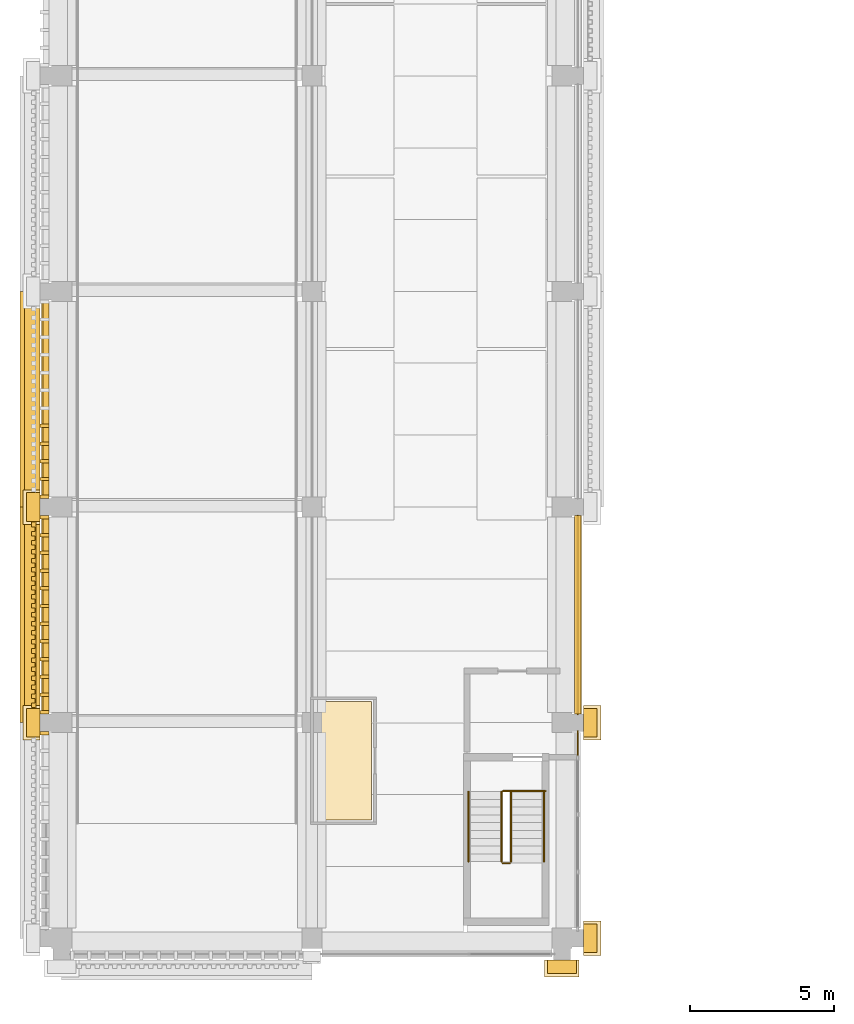
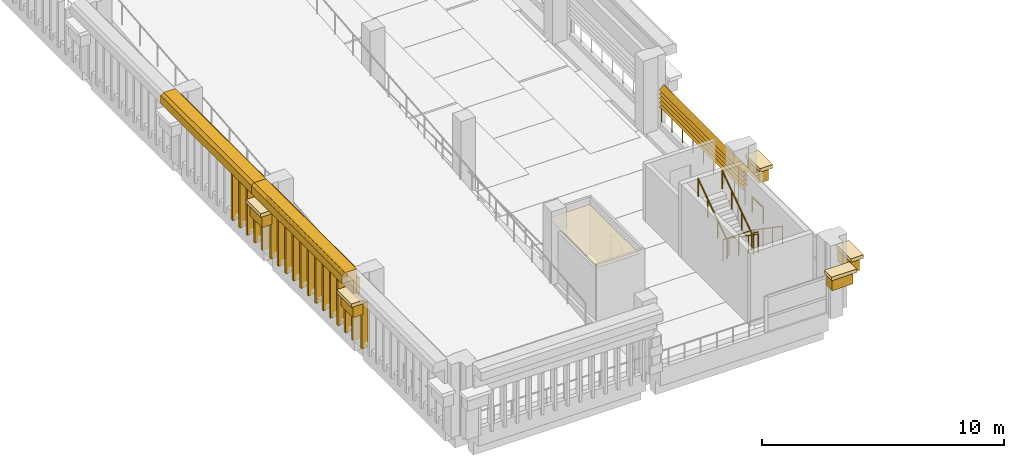
# One storey, part 13 of 25: 34 coverings, 8 railings, 5 shading devices.
"""IFC4 building model written with IfcOpenShell, lengths in metres."""

from ifc_helpers import new_model, si_unit, direction, frame, origin, origin_2d, place, context, subcontext, project, spatial, polyline, circle, outline, extrude, material, layer, layer_set, type_object, element, save


model = new_model("IFC4")

# Units and contexts
model_context = context("Model", 3, precision=1e-05, world=origin(), true_north=direction((0.0, 1.0)))
body_context = subcontext(model_context, "Body", "Model", "MODEL_VIEW")
ifc_project = project(units=[si_unit("LENGTHUNIT", "METRE"), si_unit("AREAUNIT", "SQUARE_METRE"), si_unit("VOLUMEUNIT", "CUBIC_METRE"), si_unit("PLANEANGLEUNIT", "RADIAN"), si_unit("MASSUNIT", "GRAM", prefix="KILO")], contexts=[model_context])

# Site, building, storey
site_placement = place(None, origin())
site = spatial("IfcSite", under=ifc_project, at=site_placement, CompositionType="ELEMENT")
building_placement = place(site_placement, origin())
building = spatial("IfcBuilding", under=site, at=building_placement, Name="Cour d'Honneur Mobility Palace", CompositionType="ELEMENT")
storey_placement = place(building_placement, frame((0.0, 0.0, 30.39990234375)))
storey = spatial("IfcBuildingStorey", under=building, at=storey_placement, Name="L08", CompositionType="ELEMENT", Elevation=30.39990234375)

# Railings
ifc_material_1 = material(Name="Painted steel", Category="steel")
railing_type_1 = type_object("IfcRailingType", Name="Balustrade", PredefinedType="BALUSTRADE", material=ifc_material_1)
railing_1_placement = place(storey_placement, frame((17.949951171875, 6.300048828125, 0.300048828125)))
element("IfcRailing", 1, at=railing_1_placement, inside=storey, type_object=railing_type_1, Name="Balustrade BAL-390", PredefinedType="BALUSTRADE", context=body_context, shape_type="SweptSolid", body=[
    extrude(circle(Radius=0.02392578125, at=origin_2d()), frame((0.0, 0.0, 0.77587890625), z_axis=(0.0, 1.0, 0.0), x_axis=(-1.0, 0.0, 0.0)), (0.0, 0.0, 1.0), 0.89990234375),
    extrude(circle(Radius=0.02099609375, at=origin_2d()), origin(), (0.0, 0.0, 1.0), 0.751953125),
    extrude(circle(Radius=0.02099609375, at=origin_2d()), frame((0.0, 0.89990234375, 0.0)), (0.0, 0.0, 1.0), 0.751953125),
])
railing_2_placement = place(storey_placement, frame((17.949951171875, 7.800048828125, 0.300048828125)))
element("IfcRailing", 2, at=railing_2_placement, inside=storey, type_object=railing_type_1, Name="Balustrade BAL-391", PredefinedType="BALUSTRADE", context=body_context, shape_type="SweptSolid", body=[
    extrude(circle(Radius=0.02392578125, at=origin_2d()), frame((0.0, 0.0, 0.77587890625), z_axis=(0.0, 1.0, 0.0), x_axis=(-1.0, 0.0, 0.0)), (0.0, 0.0, 1.0), 6.89990234375),
    extrude(circle(Radius=0.02099609375, at=origin_2d()), origin(), (0.0, 0.0, 1.0), 0.751953125),
    extrude(circle(Radius=0.02099609375, at=origin_2d()), frame((0.0, 0.862548828125, 0.0)), (0.0, 0.0, 1.0), 0.751953125),
    extrude(circle(Radius=0.02099609375, at=origin_2d()), frame((0.0, 1.72509765625, 0.0)), (0.0, 0.0, 1.0), 0.751953125),
    extrude(circle(Radius=0.02099609375, at=origin_2d()), frame((0.0, 2.58740234375, 0.0)), (0.0, 0.0, 1.0), 0.751953125),
    extrude(circle(Radius=0.02099609375, at=origin_2d()), frame((0.0, 3.449951171875, 0.0)), (0.0, 0.0, 1.0), 0.751953125),
    extrude(circle(Radius=0.02099609375, at=origin_2d()), frame((0.0, 4.3125, 0.0)), (0.0, 0.0, 1.0), 0.751953125),
    extrude(circle(Radius=0.02099609375, at=origin_2d()), frame((0.0, 5.1748046875, 0.0)), (0.0, 0.0, 1.0), 0.751953125),
    extrude(circle(Radius=0.02099609375, at=origin_2d()), frame((0.0, 6.037353515625, 0.0)), (0.0, 0.0, 1.0), 0.751953125),
    extrude(circle(Radius=0.02099609375, at=origin_2d()), frame((0.0, 6.89990234375, 0.0)), (0.0, 0.0, 1.0), 0.751953125),
])

# Coverings
ifc_material_2 = material(Name="Cast limestone", Category="masonry")
ifc_layer_1 = layer(ifc_material_2, 0.14990234375)
ifc_layer_set_1 = layer_set([ifc_layer_1], Name="Cast limestone")
covering_type_1 = type_object("IfcCoveringType", Name="Dentil course", PredefinedType="CLADDING", material=ifc_layer_set_1)
covering_1_placement = place(storey_placement, frame((0.0, 0.0, 3.150146484375)))
element("IfcCovering", 3, at=covering_1_placement, inside=storey, type_object=covering_type_1, Name="Dentil course DC-131", PredefinedType="CLADDING", context=body_context, shape_type="SweptSolid", body=[
    extrude(outline(polyline([(-0.89990234375, 14.550048828125), (-0.89990234375, 7.949951171875), (-0.929931640625, 7.949951171875), (-0.929931640625, 7.949951171875), (-0.929931640625, 8.028564453125), (-1.050048828125, 8.028564453125), (-1.050048828125, 8.185791015625), (-0.929931640625, 8.185791015625), (-0.929931640625, 8.264404296875), (-0.929931640625, 8.264404296875), (-0.929931640625, 8.3427734375), (-1.050048828125, 8.3427734375), (-1.050048828125, 8.5), (-0.929931640625, 8.5), (-0.929931640625, 8.57861328125), (-0.929931640625, 8.57861328125), (-0.929931640625, 8.6572265625), (-1.050048828125, 8.6572265625), (-1.050048828125, 8.814208984375), (-0.929931640625, 8.814208984375), (-0.929931640625, 8.892822265625), (-0.929931640625, 8.892822265625), (-0.929931640625, 8.971435546875), (-1.050048828125, 8.971435546875), (-1.050048828125, 9.128662109375), (-0.929931640625, 9.128662109375), (-0.929931640625, 9.20703125), (-0.929931640625, 9.20703125), (-0.929931640625, 9.28564453125), (-1.050048828125, 9.28564453125), (-1.050048828125, 9.44287109375), (-0.929931640625, 9.44287109375), (-0.929931640625, 9.521484375), (-0.929931640625, 9.521484375), (-0.929931640625, 9.60009765625), (-1.050048828125, 9.60009765625), (-1.050048828125, 9.757080078125), (-0.929931640625, 9.757080078125), (-0.929931640625, 9.835693359375), (-0.929931640625, 9.835693359375), (-0.929931640625, 9.914306640625), (-1.050048828125, 9.914306640625), (-1.050048828125, 10.071533203125), (-0.929931640625, 10.071533203125), (-0.929931640625, 10.14990234375), (-0.929931640625, 10.14990234375), (-0.929931640625, 10.228515625), (-1.050048828125, 10.228515625), (-1.050048828125, 10.3857421875), (-0.929931640625, 10.3857421875), (-0.929931640625, 10.46435546875), (-0.929931640625, 10.46435546875), (-0.929931640625, 10.54296875), (-1.050048828125, 10.54296875), (-1.050048828125, 10.699951171875), (-0.929931640625, 10.699951171875), (-0.929931640625, 10.778564453125), (-0.929931640625, 10.778564453125), (-0.929931640625, 10.857177734375), (-1.050048828125, 10.857177734375), (-1.050048828125, 11.014404296875), (-0.929931640625, 11.014404296875), (-0.929931640625, 11.0927734375), (-0.929931640625, 11.0927734375), (-0.929931640625, 11.17138671875), (-1.050048828125, 11.17138671875), (-1.050048828125, 11.32861328125), (-0.929931640625, 11.32861328125), (-0.929931640625, 11.4072265625), (-0.929931640625, 11.4072265625), (-0.929931640625, 11.485595703125), (-1.050048828125, 11.485595703125), (-1.050048828125, 11.642822265625), (-0.929931640625, 11.642822265625), (-0.929931640625, 11.721435546875), (-0.929931640625, 11.721435546875), (-0.929931640625, 11.800048828125), (-1.050048828125, 11.800048828125), (-1.050048828125, 11.95703125), (-0.929931640625, 11.95703125), (-0.929931640625, 12.03564453125), (-0.929931640625, 12.03564453125), (-0.929931640625, 12.1142578125), (-1.050048828125, 12.1142578125), (-1.050048828125, 12.271484375), (-0.929931640625, 12.271484375), (-0.929931640625, 12.35009765625), (-0.929931640625, 12.35009765625), (-0.929931640625, 12.428466796875), (-1.050048828125, 12.428466796875), (-1.050048828125, 12.585693359375), (-0.929931640625, 12.585693359375), (-0.929931640625, 12.664306640625), (-0.929931640625, 12.664306640625), (-0.929931640625, 12.742919921875), (-1.050048828125, 12.742919921875), (-1.050048828125, 12.89990234375), (-0.929931640625, 12.89990234375), (-0.929931640625, 12.978515625), (-0.929931640625, 12.978515625), (-0.929931640625, 13.05712890625), (-1.050048828125, 13.05712890625), (-1.050048828125, 13.21435546875), (-0.929931640625, 13.21435546875), (-0.929931640625, 13.29296875), (-0.929931640625, 13.29296875), (-0.929931640625, 13.371337890625), (-1.050048828125, 13.371337890625), (-1.050048828125, 13.528564453125), (-0.929931640625, 13.528564453125), (-0.929931640625, 13.607177734375), (-0.929931640625, 13.607177734375), (-0.929931640625, 13.685791015625), (-1.050048828125, 13.685791015625), (-1.050048828125, 13.8427734375), (-0.929931640625, 13.8427734375), (-0.929931640625, 13.92138671875), (-0.929931640625, 13.92138671875), (-0.929931640625, 14.0), (-1.050048828125, 14.0), (-1.050048828125, 14.1572265625), (-0.929931640625, 14.1572265625), (-0.929931640625, 14.235595703125), (-0.929931640625, 14.235595703125), (-0.929931640625, 14.314208984375), (-1.050048828125, 14.314208984375), (-1.050048828125, 14.471435546875), (-0.929931640625, 14.471435546875), (-0.929931640625, 14.550048828125), (-0.89990234375, 14.550048828125)])), origin(), (0.0, 0.0, 1.0), 0.14990234375),
])
ifc_material_3 = material(Name="Cast limestone", Category="masonry")
ifc_layer_2 = layer(ifc_material_3, 0.699951171875)
ifc_layer_set_2 = layer_set([ifc_layer_2], Name="Cast limestone")
covering_type_2 = type_object("IfcCoveringType", Name="Entablature", PredefinedType="CLADDING", material=ifc_layer_set_2)
for number, where, z_axis, x_axis, name in (
    (4, (-0.75, 22.5, 2.60009765625), (0.0, 1.0, 0.0), (-1.0, 0.0, 0.0), "Entablature EN-130"),
    (5, (-0.75, 15.0, 2.60009765625), (0.0, 1.0, 0.0), (-1.0, 0.0, 0.0), "Entablature EN-131"),
):
    element("IfcCovering", number, at=place(storey_placement, frame(where, z_axis=z_axis, x_axis=x_axis)), inside=storey, type_object=covering_type_2, Name=name, PredefinedType="CLADDING", context=body_context, shape_type="SweptSolid", body=[
        extrude(outline(polyline([(0.0, 0.0), (0.14990234375, 0.0), (0.14990234375, 0.699951171875), (0.699951171875, 0.699951171875), (0.699951171875, 1.10009765625), (0.550048828125, 1.199951171875), (0.0, 1.199951171875), (0.0, 0.0)])), origin(), (0.0, 0.0, -1.0), 7.5),
    ])

# Railings
ifc_material_4 = material(Name="Painted steel", Category="steel")
railing_type_2 = type_object("IfcRailingType", Name="Guardrail 1100", PredefinedType="GUARDRAIL", material=ifc_material_4)
railing_3_placement = place(storey_placement, frame((15.35009765625, 5.1201171875, 0.0)))
element("IfcRailing", 6, at=railing_3_placement, inside=storey, type_object=railing_type_2, Name="Guard ST-RW1", PredefinedType="GUARDRAIL", context=body_context, shape_type="SweptSolid", body=[
    extrude(circle(Radius=0.02490234375, at=origin_2d()), frame((0.0, 0.0, 1.0751953125), z_axis=(1.0, 0.0, 0.0), x_axis=(0.0, 1.0, 0.0)), (0.0, 0.0, 1.0), 1.474853515625),
    extrude(circle(Radius=0.02099609375, at=origin_2d()), origin(), (0.0, 0.0, 1.0), 1.050048828125),
    extrude(circle(Radius=0.02099609375, at=origin_2d()), frame((0.7373046875, 0.0, 0.0)), (0.0, 0.0, 1.0), 1.050048828125),
    extrude(circle(Radius=0.02099609375, at=origin_2d()), frame((1.474853515625, 0.0, 0.0)), (0.0, 0.0, 1.0), 1.050048828125),
])
railing_4_placement = place(storey_placement, frame((15.35009765625, 2.610107421875, 1.85009765625)))
element("IfcRailing", 7, at=railing_4_placement, inside=storey, type_object=railing_type_2, Name="Landing guard ST-RW1", PredefinedType="GUARDRAIL", context=body_context, shape_type="SweptSolid", body=[
    extrude(circle(Radius=0.02490234375, at=origin_2d()), frame((0.0, 0.0, 1.0751953125), z_axis=(1.0, 0.0, 0.0), x_axis=(0.0, 1.0, 0.0)), (0.0, 0.0, 1.0), 0.224853515625),
    extrude(circle(Radius=0.02099609375, at=origin_2d()), origin(), (0.0, 0.0, 1.0), 1.050048828125),
    extrude(circle(Radius=0.02099609375, at=origin_2d()), frame((0.224853515625, 0.0, 0.0)), (0.0, 0.0, 1.0), 1.050048828125),
])
ifc_material_5 = material(Name="Stainless steel", Category="steel")
railing_type_3 = type_object("IfcRailingType", Name="Handrail round 50", PredefinedType="HANDRAIL", material=ifc_material_5)
for number, where, name in (
    (8, (16.77490234375, 5.10009765625, 0.18505859375), "Handrail ST-RW1"),
    (9, (15.625, 5.10009765625, 0.18505859375), "Handrail ST-RW1"),
):
    element("IfcRailing", number, at=place(storey_placement, frame(where)), inside=storey, type_object=railing_type_3, Name=name, PredefinedType="HANDRAIL", context=body_context, shape_type="SweptSolid", body=[
        extrude(circle(Radius=0.02490234375, at=origin_2d()), frame((0.0, 0.0, 0.89501953125), z_axis=(0.0, -0.824945253146, 0.565212640793), x_axis=(1.0, 0.0, 0.0)), (0.0, 0.0, 1.0), 2.94580078125),
        extrude(circle(Radius=0.02099609375, at=origin_2d()), origin(), (0.0, 0.0, 1.0), 0.869873046875),
        extrude(circle(Radius=0.02099609375, at=origin_2d()), frame((0.0, -0.81005859375, 0.554931640625)), (0.0, 0.0, 1.0), 0.869873046875),
        extrude(circle(Radius=0.02099609375, at=origin_2d()), frame((0.0, -1.6201171875, 1.110107421875)), (0.0, 0.0, 1.0), 0.869873046875),
        extrude(circle(Radius=0.02099609375, at=origin_2d()), frame((0.0, -2.43017578125, 1.6650390625)), (0.0, 0.0, 1.0), 0.869873046875),
    ])
for number, where, name in (
    (10, (15.300048828125, 2.669921875, 2.03515625), "Handrail ST-RW1"),
    (11, (14.14990234375, 2.669921875, 2.03515625), "Handrail ST-RW1"),
):
    element("IfcRailing", number, at=place(storey_placement, frame(where)), inside=storey, type_object=railing_type_3, Name=name, PredefinedType="HANDRAIL", context=body_context, shape_type="SweptSolid", body=[
        extrude(circle(Radius=0.02490234375, at=origin_2d()), frame((0.0, 0.0, 0.89501953125), z_axis=(0.0, 0.824945253146, 0.565212640793), x_axis=(-1.0, 0.0, 0.0)), (0.0, 0.0, 1.0), 2.94580078125),
        extrude(circle(Radius=0.02099609375, at=origin_2d()), origin(), (0.0, 0.0, 1.0), 0.869873046875),
        extrude(circle(Radius=0.02099609375, at=origin_2d()), frame((0.0, 0.81005859375, 0.554931640625)), (0.0, 0.0, 1.0), 0.869873046875),
        extrude(circle(Radius=0.02099609375, at=origin_2d()), frame((0.0, 1.6201171875, 1.110107421875)), (0.0, 0.0, 1.0), 0.869873046875),
        extrude(circle(Radius=0.02099609375, at=origin_2d()), frame((0.0, 2.43017578125, 1.6650390625)), (0.0, 0.0, 1.0), 0.869873046875),
    ])

# Coverings
ifc_material_6 = material(Name="Cast limestone", Category="masonry")
ifc_layer_3 = layer(ifc_material_6, 0.1201171875)
ifc_layer_set_3 = layer_set([ifc_layer_3], Name="Cast limestone")
covering_type_3 = type_object("IfcCoveringType", Name="Pilaster capital", PredefinedType="CLADDING", material=ifc_layer_set_3)
covering_2_placement = place(storey_placement, frame((0.0, 0.0, 1.800048828125)))
element("IfcCovering", 12, at=covering_2_placement, inside=storey, type_object=covering_type_3, Name="Pilaster capital PK-3", PredefinedType="CLADDING", context=body_context, shape_type="SweptSolid", body=[
    extrude(outline(polyline([(16.89990234375, -0.75), (17.89990234375, -0.75), (17.89990234375, -1.219970703125), (16.89990234375, -1.219970703125), (16.89990234375, -0.75)])), origin(), (0.0, 0.0, 1.0), 0.6201171875),
])
covering_3_placement = place(storey_placement, frame((0.0, 0.0, 2.420166015625)))
element("IfcCovering", 13, at=covering_3_placement, inside=storey, type_object=covering_type_3, Name="Pilaster capital PK-4", PredefinedType="CLADDING", context=body_context, shape_type="SweptSolid", body=[
    extrude(outline(polyline([(16.800048828125, -0.75), (18.0, -0.75), (18.0, -1.35009765625), (16.800048828125, -1.35009765625), (16.800048828125, -0.75)])), origin(), (0.0, 0.0, 1.0), 0.179931640625),
])
covering_4_placement = place(storey_placement, frame((0.0, 0.0, 1.800048828125)))
element("IfcCovering", 14, at=covering_4_placement, inside=storey, type_object=covering_type_3, Name="Pilaster capital PK-5", PredefinedType="CLADDING", context=body_context, shape_type="SweptSolid", body=[
    extrude(outline(polyline([(18.14990234375, -0.5), (18.14990234375, 0.5), (18.6201171875, 0.5), (18.6201171875, -0.5), (18.14990234375, -0.5)])), origin(), (0.0, 0.0, 1.0), 0.6201171875),
])
covering_5_placement = place(storey_placement, frame((0.0, 0.0, 2.420166015625)))
element("IfcCovering", 15, at=covering_5_placement, inside=storey, type_object=covering_type_3, Name="Pilaster capital PK-6", PredefinedType="CLADDING", context=body_context, shape_type="SweptSolid", body=[
    extrude(outline(polyline([(18.14990234375, -0.60009765625), (18.14990234375, 0.60009765625), (18.75, 0.60009765625), (18.75, -0.60009765625), (18.14990234375, -0.60009765625)])), origin(), (0.0, 0.0, 1.0), 0.179931640625),
])
covering_6_placement = place(storey_placement, frame((0.0, 0.0, 1.800048828125)))
element("IfcCovering", 16, at=covering_6_placement, inside=storey, type_object=covering_type_3, Name="Pilaster capital PK-7", PredefinedType="CLADDING", context=body_context, shape_type="SweptSolid", body=[
    extrude(outline(polyline([(18.14990234375, 7.0), (18.14990234375, 8.0), (18.6201171875, 8.0), (18.6201171875, 7.0), (18.14990234375, 7.0)])), origin(), (0.0, 0.0, 1.0), 0.6201171875),
])
covering_7_placement = place(storey_placement, frame((0.0, 0.0, 2.420166015625)))
element("IfcCovering", 17, at=covering_7_placement, inside=storey, type_object=covering_type_3, Name="Pilaster capital PK-8", PredefinedType="CLADDING", context=body_context, shape_type="SweptSolid", body=[
    extrude(outline(polyline([(18.14990234375, 6.89990234375), (18.14990234375, 8.10009765625), (18.75, 8.10009765625), (18.75, 6.89990234375), (18.14990234375, 6.89990234375)])), origin(), (0.0, 0.0, 1.0), 0.179931640625),
])
covering_8_placement = place(storey_placement, frame((0.0, 0.0, 1.800048828125)))
element("IfcCovering", 18, at=covering_8_placement, inside=storey, type_object=covering_type_3, Name="Pilaster capital PK-203", PredefinedType="CLADDING", context=body_context, shape_type="SweptSolid", body=[
    extrude(outline(polyline([(-0.75, 15.5), (-0.75, 14.5), (-1.219970703125, 14.5), (-1.219970703125, 15.5), (-0.75, 15.5)])), origin(), (0.0, 0.0, 1.0), 0.6201171875),
])
covering_9_placement = place(storey_placement, frame((0.0, 0.0, 2.420166015625)))
element("IfcCovering", 19, at=covering_9_placement, inside=storey, type_object=covering_type_3, Name="Pilaster capital PK-204", PredefinedType="CLADDING", context=body_context, shape_type="SweptSolid", body=[
    extrude(outline(polyline([(-0.75, 15.60009765625), (-0.75, 14.39990234375), (-1.35009765625, 14.39990234375), (-1.35009765625, 15.60009765625), (-0.75, 15.60009765625)])), origin(), (0.0, 0.0, 1.0), 0.179931640625),
])
covering_10_placement = place(storey_placement, frame((0.0, 0.0, 1.800048828125)))
element("IfcCovering", 20, at=covering_10_placement, inside=storey, type_object=covering_type_3, Name="Pilaster capital PK-205", PredefinedType="CLADDING", context=body_context, shape_type="SweptSolid", body=[
    extrude(outline(polyline([(-0.75, 8.0), (-0.75, 7.0), (-1.219970703125, 7.0), (-1.219970703125, 8.0), (-0.75, 8.0)])), origin(), (0.0, 0.0, 1.0), 0.6201171875),
])
covering_11_placement = place(storey_placement, frame((0.0, 0.0, 2.420166015625)))
element("IfcCovering", 21, at=covering_11_placement, inside=storey, type_object=covering_type_3, Name="Pilaster capital PK-206", PredefinedType="CLADDING", context=body_context, shape_type="SweptSolid", body=[
    extrude(outline(polyline([(-0.75, 8.10009765625), (-0.75, 6.89990234375), (-1.35009765625, 6.89990234375), (-1.35009765625, 8.10009765625), (-0.75, 8.10009765625)])), origin(), (0.0, 0.0, 1.0), 0.179931640625),
])
ifc_material_7 = material(Name="Cast limestone", Category="masonry")
ifc_layer_4 = layer(ifc_material_7, 0.1201171875)
ifc_layer_set_4 = layer_set([ifc_layer_4], Name="Cast limestone")
covering_type_4 = type_object("IfcCoveringType", Name="Ramp screen fin", PredefinedType="CLADDING", material=ifc_layer_set_4)
covering_12_placement = place(storey_placement, origin())
element("IfcCovering", 22, at=covering_12_placement, inside=storey, type_object=covering_type_4, Name="Ramp screen fin W3.4 L08 8", PredefinedType="CLADDING", context=body_context, shape_type="SweptSolid", body=[
    extrude(outline(polyline([(-0.449951171875, 17.885498046875), (-0.449951171875, 17.765380859375), (-0.75, 17.765380859375), (-0.75, 17.885498046875), (-0.449951171875, 17.885498046875)])), origin(), (0.0, 0.0, 1.0), 2.300048828125),
])
covering_13_placement = place(storey_placement, origin())
element("IfcCovering", 23, at=covering_13_placement, inside=storey, type_object=covering_type_4, Name="Ramp screen fin W3.4 L08 9", PredefinedType="CLADDING", context=body_context, shape_type="SweptSolid", body=[
    extrude(outline(polyline([(-0.449951171875, 17.26904296875), (-0.449951171875, 17.149169921875), (-0.75, 17.149169921875), (-0.75, 17.26904296875), (-0.449951171875, 17.26904296875)])), origin(), (0.0, 0.0, 1.0), 2.300048828125),
])
covering_14_placement = place(storey_placement, origin())
element("IfcCovering", 24, at=covering_14_placement, inside=storey, type_object=covering_type_4, Name="Ramp screen fin W3.4 L08 10", PredefinedType="CLADDING", context=body_context, shape_type="SweptSolid", body=[
    extrude(outline(polyline([(-0.449951171875, 16.65283203125), (-0.449951171875, 16.53271484375), (-0.75, 16.53271484375), (-0.75, 16.65283203125), (-0.449951171875, 16.65283203125)])), origin(), (0.0, 0.0, 1.0), 2.300048828125),
])
covering_15_placement = place(storey_placement, origin())
element("IfcCovering", 25, at=covering_15_placement, inside=storey, type_object=covering_type_4, Name="Ramp screen fin W3.4 L08 11", PredefinedType="CLADDING", context=body_context, shape_type="SweptSolid", body=[
    extrude(outline(polyline([(-0.449951171875, 16.036376953125), (-0.449951171875, 15.916259765625), (-0.75, 15.916259765625), (-0.75, 16.036376953125), (-0.449951171875, 16.036376953125)])), origin(), (0.0, 0.0, 1.0), 2.300048828125),
])
covering_16_placement = place(storey_placement, origin())
element("IfcCovering", 26, at=covering_16_placement, inside=storey, type_object=covering_type_4, Name="Ramp screen fin W3.4 L08 12", PredefinedType="CLADDING", context=body_context, shape_type="SweptSolid", body=[
    extrude(outline(polyline([(-0.449951171875, 15.419921875), (-0.449951171875, 15.300048828125), (-0.75, 15.300048828125), (-0.75, 15.419921875), (-0.449951171875, 15.419921875)])), origin(), (0.0, 0.0, 1.0), 2.300048828125),
])
covering_17_placement = place(storey_placement, origin())
element("IfcCovering", 27, at=covering_17_placement, inside=storey, type_object=covering_type_4, Name="Ramp screen fin W3.5 L08 1", PredefinedType="CLADDING", context=body_context, shape_type="SweptSolid", body=[
    extrude(outline(polyline([(-0.449951171875, 14.699951171875), (-0.449951171875, 14.580078125), (-0.75, 14.580078125), (-0.75, 14.699951171875), (-0.449951171875, 14.699951171875)])), origin(), (0.0, 0.0, 1.0), 2.300048828125),
])
covering_18_placement = place(storey_placement, origin())
element("IfcCovering", 28, at=covering_18_placement, inside=storey, type_object=covering_type_4, Name="Ramp screen fin W3.5 L08 2", PredefinedType="CLADDING", context=body_context, shape_type="SweptSolid", body=[
    extrude(outline(polyline([(-0.449951171875, 14.083740234375), (-0.449951171875, 13.963623046875), (-0.75, 13.963623046875), (-0.75, 14.083740234375), (-0.449951171875, 14.083740234375)])), origin(), (0.0, 0.0, 1.0), 2.300048828125),
])
covering_19_placement = place(storey_placement, origin())
element("IfcCovering", 29, at=covering_19_placement, inside=storey, type_object=covering_type_4, Name="Ramp screen fin W3.5 L08 3", PredefinedType="CLADDING", context=body_context, shape_type="SweptSolid", body=[
    extrude(outline(polyline([(-0.449951171875, 13.46728515625), (-0.449951171875, 13.34716796875), (-0.75, 13.34716796875), (-0.75, 13.46728515625), (-0.449951171875, 13.46728515625)])), origin(), (0.0, 0.0, 1.0), 2.300048828125),
])
covering_20_placement = place(storey_placement, origin())
element("IfcCovering", 30, at=covering_20_placement, inside=storey, type_object=covering_type_4, Name="Ramp screen fin W3.5 L08 4", PredefinedType="CLADDING", context=body_context, shape_type="SweptSolid", body=[
    extrude(outline(polyline([(-0.449951171875, 12.850830078125), (-0.449951171875, 12.73095703125), (-0.75, 12.73095703125), (-0.75, 12.850830078125), (-0.449951171875, 12.850830078125)])), origin(), (0.0, 0.0, 1.0), 2.300048828125),
])
covering_21_placement = place(storey_placement, origin())
element("IfcCovering", 31, at=covering_21_placement, inside=storey, type_object=covering_type_4, Name="Ramp screen fin W3.5 L08 5", PredefinedType="CLADDING", context=body_context, shape_type="SweptSolid", body=[
    extrude(outline(polyline([(-0.449951171875, 12.234619140625), (-0.449951171875, 12.114501953125), (-0.75, 12.114501953125), (-0.75, 12.234619140625), (-0.449951171875, 12.234619140625)])), origin(), (0.0, 0.0, 1.0), 2.300048828125),
])
covering_22_placement = place(storey_placement, origin())
element("IfcCovering", 32, at=covering_22_placement, inside=storey, type_object=covering_type_4, Name="Ramp screen fin W3.5 L08 6", PredefinedType="CLADDING", context=body_context, shape_type="SweptSolid", body=[
    extrude(outline(polyline([(-0.449951171875, 11.6181640625), (-0.449951171875, 11.498291015625), (-0.75, 11.498291015625), (-0.75, 11.6181640625), (-0.449951171875, 11.6181640625)])), origin(), (0.0, 0.0, 1.0), 2.300048828125),
])
covering_23_placement = place(storey_placement, origin())
element("IfcCovering", 33, at=covering_23_placement, inside=storey, type_object=covering_type_4, Name="Ramp screen fin W3.5 L08 7", PredefinedType="CLADDING", context=body_context, shape_type="SweptSolid", body=[
    extrude(outline(polyline([(-0.449951171875, 11.001708984375), (-0.449951171875, 10.8818359375), (-0.75, 10.8818359375), (-0.75, 11.001708984375), (-0.449951171875, 11.001708984375)])), origin(), (0.0, 0.0, 1.0), 2.300048828125),
])
covering_24_placement = place(storey_placement, origin())
element("IfcCovering", 34, at=covering_24_placement, inside=storey, type_object=covering_type_4, Name="Ramp screen fin W3.5 L08 8", PredefinedType="CLADDING", context=body_context, shape_type="SweptSolid", body=[
    extrude(outline(polyline([(-0.449951171875, 10.385498046875), (-0.449951171875, 10.265380859375), (-0.75, 10.265380859375), (-0.75, 10.385498046875), (-0.449951171875, 10.385498046875)])), origin(), (0.0, 0.0, 1.0), 2.300048828125),
])
covering_25_placement = place(storey_placement, origin())
element("IfcCovering", 35, at=covering_25_placement, inside=storey, type_object=covering_type_4, Name="Ramp screen fin W3.5 L08 9", PredefinedType="CLADDING", context=body_context, shape_type="SweptSolid", body=[
    extrude(outline(polyline([(-0.449951171875, 9.76904296875), (-0.449951171875, 9.649169921875), (-0.75, 9.649169921875), (-0.75, 9.76904296875), (-0.449951171875, 9.76904296875)])), origin(), (0.0, 0.0, 1.0), 2.300048828125),
])
covering_26_placement = place(storey_placement, origin())
element("IfcCovering", 36, at=covering_26_placement, inside=storey, type_object=covering_type_4, Name="Ramp screen fin W3.5 L08 10", PredefinedType="CLADDING", context=body_context, shape_type="SweptSolid", body=[
    extrude(outline(polyline([(-0.449951171875, 9.15283203125), (-0.449951171875, 9.03271484375), (-0.75, 9.03271484375), (-0.75, 9.15283203125), (-0.449951171875, 9.15283203125)])), origin(), (0.0, 0.0, 1.0), 2.300048828125),
])
covering_27_placement = place(storey_placement, origin())
element("IfcCovering", 37, at=covering_27_placement, inside=storey, type_object=covering_type_4, Name="Ramp screen fin W3.5 L08 11", PredefinedType="CLADDING", context=body_context, shape_type="SweptSolid", body=[
    extrude(outline(polyline([(-0.449951171875, 8.536376953125), (-0.449951171875, 8.416259765625), (-0.75, 8.416259765625), (-0.75, 8.536376953125), (-0.449951171875, 8.536376953125)])), origin(), (0.0, 0.0, 1.0), 2.300048828125),
])
covering_28_placement = place(storey_placement, origin())
element("IfcCovering", 38, at=covering_28_placement, inside=storey, type_object=covering_type_4, Name="Ramp screen fin W3.5 L08 12", PredefinedType="CLADDING", context=body_context, shape_type="SweptSolid", body=[
    extrude(outline(polyline([(-0.449951171875, 7.919921875), (-0.449951171875, 7.800048828125), (-0.75, 7.800048828125), (-0.75, 7.919921875), (-0.449951171875, 7.919921875)])), origin(), (0.0, 0.0, 1.0), 2.300048828125),
])
covering_29_placement = place(storey_placement, origin())
element("IfcCovering", 39, at=covering_29_placement, inside=storey, type_object=covering_type_4, Name="Ramp screen fin W3.6 L08 1", PredefinedType="CLADDING", context=body_context, shape_type="SweptSolid", body=[
    extrude(outline(polyline([(-0.449951171875, 7.199951171875), (-0.449951171875, 7.080078125), (-0.75, 7.080078125), (-0.75, 7.199951171875), (-0.449951171875, 7.199951171875)])), origin(), (0.0, 0.0, 1.0), 2.300048828125),
])
ifc_material_8 = material(Name="Cast limestone", Category="masonry")
ifc_layer_5 = layer(ifc_material_8, 0.25)
ifc_layer_set_5 = layer_set([ifc_layer_5], Name="Cast limestone")
covering_type_5 = type_object("IfcCoveringType", Name="Spandrel cladding", PredefinedType="CLADDING", material=ifc_layer_set_5)
for number, where, z_axis, x_axis, name in (
    (40, (-0.449951171875, 22.199951171875, 2.300048828125), (0.0, 1.0, 0.0), (-1.0, 0.0, 0.0), "Spandrel cladding SK-397"),
    (41, (-0.449951171875, 14.699951171875, 2.300048828125), (0.0, 1.0, 0.0), (-1.0, 0.0, 0.0), "Spandrel cladding SK-398"),
):
    element("IfcCovering", number, at=place(storey_placement, frame(where, z_axis=z_axis, x_axis=x_axis)), inside=storey, type_object=covering_type_5, Name=name, PredefinedType="CLADDING", context=body_context, shape_type="SweptSolid", body=[
        extrude(outline(polyline([(0.0, 0.0), (0.25, 0.0), (0.25, 1.400146484375), (0.199951171875, 1.400146484375), (0.199951171875, 0.800048828125), (0.0, 0.800048828125), (0.0, 0.0)])), origin(), (0.0, 0.0, -1.0), 6.89990234375),
    ])
ifc_material_9 = material(Name="Suspended ceiling")
ifc_layer_6 = layer(ifc_material_9, 0.030029296875)
ifc_layer_set_6 = layer_set([ifc_layer_6], Name="Suspended ceiling")
covering_type_6 = type_object("IfcCoveringType", Name="Suspended ceiling", PredefinedType="CEILING", material=ifc_layer_set_6)
covering_30_placement = place(storey_placement, frame((0.0, 0.0, 2.550048828125)))
element("IfcCovering", 42, at=covering_30_placement, inside=storey, type_object=covering_type_6, Name="Ceiling Valet Handover West", PredefinedType="CEILING", context=body_context, shape_type="SweptSolid", body=[
    extrude(outline(polyline([(10.780029296875, 4.1201171875), (8.820068359375, 4.1201171875), (8.820068359375, 8.22998046875), (10.780029296875, 8.22998046875), (10.780029296875, 4.1201171875)])), origin(), (0.0, 0.0, 1.0), 0.030029296875),
])

# Shading devices
ifc_material_10 = material(Name="Terracotta", Category="masonry")
ifc_layer_7 = layer(ifc_material_10, 0.02490234375)
ifc_layer_set_7 = layer_set([ifc_layer_7], Name="Terracotta")
shading_device_type = type_object("IfcShadingDeviceType", Name="Terracotta louvre blade", PredefinedType="JALOUSIE", material=ifc_layer_set_7)
for number, where, z_axis, x_axis, name in (
    (43, (17.843994140625, 7.800048828125, 1.10009765625), (-0.707106781187, 0.0, 0.707106781187), (0.0, 1.0, 0.0), "Louvre blade LV-1 E1.1 L08 1"),
    (44, (17.843994140625, 7.800048828125, 1.312255859375), (-0.707106781187, 0.0, 0.707106781187), (0.0, 1.0, 0.0), "Louvre blade LV-1 E1.1 L08 2"),
    (45, (17.843994140625, 7.800048828125, 1.5244140625), (-0.707106781187, 0.0, 0.707106781187), (0.0, 1.0, 0.0), "Louvre blade LV-1 E1.1 L08 3"),
    (46, (17.843994140625, 7.800048828125, 1.736572265625), (-0.707106781187, 0.0, 0.707106781187), (0.0, 1.0, 0.0), "Louvre blade LV-1 E1.1 L08 4"),
):
    element("IfcShadingDevice", number, at=place(storey_placement, frame(where, z_axis=z_axis, x_axis=x_axis)), inside=storey, type_object=shading_device_type, Name=name, PredefinedType="JALOUSIE", context=body_context, shape_type="SweptSolid", body=[
        extrude(outline(polyline([(0.0, 0.0), (6.89990234375, 0.0), (6.89990234375, -0.300037008228081), (0.0, -0.300037008228081), (0.0, 0.0)])), origin(), (0.0, 0.0, -1.0), 0.02490234375),
    ])
shading_device_placement = place(storey_placement, frame((17.843994140625, 7.800048828125, 1.94873046875), z_axis=(-0.706699578995, 0.0, 0.707513749017), x_axis=(0.0, 1.0, 0.0)))
element("IfcShadingDevice", 47, at=shading_device_placement, inside=storey, type_object=shading_device_type, Name="Louvre blade LV-1 E1.1 L08 5", PredefinedType="JALOUSIE", context=body_context, shape_type="SweptSolid", body=[
    extrude(outline(polyline([(0.0, 0.0), (6.89990234375, 0.0), (6.89990234375, -0.29986442442957895), (0.0, -0.29986442442957895), (0.0, 0.0)])), origin(), (0.0, 0.0, -1.0), 0.02490234375),
])

save(model, "model.ifc")
